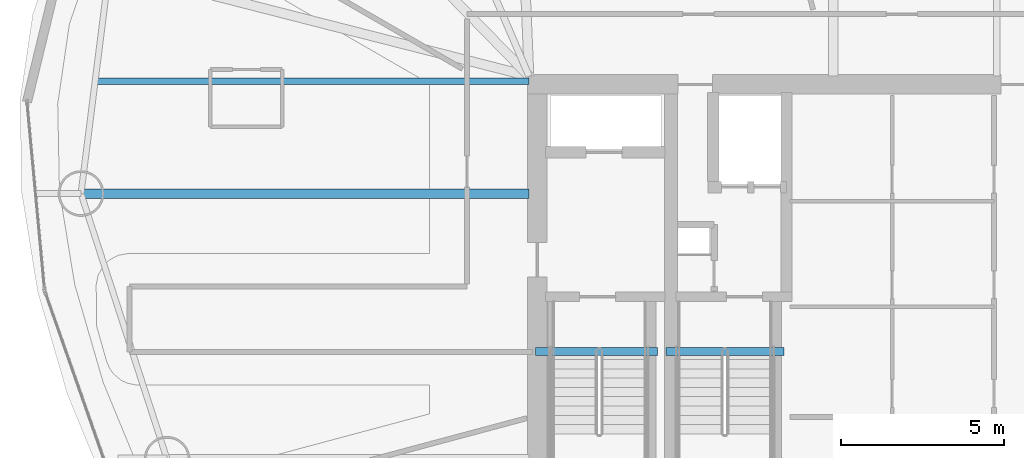
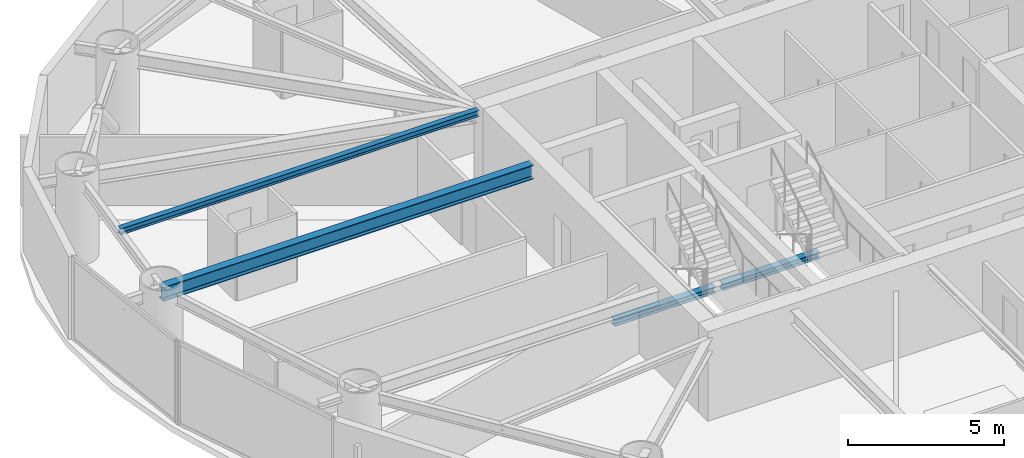
# One storey, part 6 of 20: 4 beams.
"""IFC4 building model written with IfcOpenShell, lengths in metres."""

import ifcopenshell
import ifcopenshell.guid

model = None  # the IFC model being written
_history = None  # IfcOwnerHistory: only IFC2X3 demands one
_inside = {}  # id of a spatial element -> (the spatial element, [elements in it])
_under = {}  # id of a project, library or spatial element -> (it, [spatial elements below it])
_declared = {}  # id of a project -> (the project, [libraries it declares])
_typed = {}  # id of a type object -> (the type object, [elements of that type])
_made_of = {}  # id of a material, layer set ... -> (it, [elements and type objects made of it])


def new_model(schema):
    """Start an empty IFC model of exactly this schema.

    Asked for "IFC4X3", IfcOpenShell would pick the latest addendum, in which some entities
    have other attributes; the version numbers below select the first issue.
    IFC2X3 requires an IfcOwnerHistory on every rooted entity: one is made here for all.
    """
    global model, _history
    if schema == "IFC4X3":
        model = ifcopenshell.file(schema_version=(4, 3, 0, 0))
    else:
        model = ifcopenshell.file(schema=schema)
    _inside.clear()
    _under.clear()
    _declared.clear()
    _typed.clear()
    _made_of.clear()
    _history = None
    if model.schema == "IFC2X3":
        org = make("IfcOrganization", Name="unknown")
        user = make(
            "IfcPersonAndOrganization",
            ThePerson=make("IfcPerson", FamilyName="unknown"),
            TheOrganization=org,
        )
        app = make(
            "IfcApplication",
            ApplicationDeveloper=org,
            Version="unknown",
            ApplicationFullName="unknown",
            ApplicationIdentifier="unknown",
        )
        _history = make(
            "IfcOwnerHistory",
            OwningUser=user,
            OwningApplication=app,
            ChangeAction="ADDED",
            CreationDate=0,
        )
    return model


def make(cls, **values):
    """One entity of the class cls with the attributes given. An attribute that is None is left unset."""
    return model.create_entity(
        cls, **{name: value for name, value in values.items() if value is not None}
    )


def rooted(cls, **values):
    """An entity with a GlobalId (a new one), such as an element, a storey or a relation."""
    return make(cls, GlobalId=ifcopenshell.guid.new(), OwnerHistory=_history, **values)


def si_unit(unit_type, name, prefix=None):
    """IfcSIUnit, for example si_unit("LENGTHUNIT", "METRE", prefix="MILLI")."""
    return make("IfcSIUnit", UnitType=unit_type, Prefix=prefix, Name=name)


def assignment(units):
    """IfcUnitAssignment: the units of a project."""
    return None if units is None else make("IfcUnitAssignment", Units=units)


def point(xyz):
    """IfcCartesianPoint."""
    return None if xyz is None else make("IfcCartesianPoint", Coordinates=xyz)


def direction(xyz):
    """IfcDirection."""
    return None if xyz is None else make("IfcDirection", DirectionRatios=xyz)


def frame(location, z_axis=None, x_axis=None):
    """IfcAxis2Placement3D, a coordinate frame: its origin and axes. An axis left out is left unset."""
    return make(
        "IfcAxis2Placement3D",
        Location=point(location),
        Axis=direction(z_axis),
        RefDirection=direction(x_axis),
    )


def frame_2d(location, x_axis=None):
    """IfcAxis2Placement2D, a coordinate frame in the plane: its origin and x axis."""
    return make(
        "IfcAxis2Placement2D", Location=point(location), RefDirection=direction(x_axis)
    )


def origin():
    """The frame at (0, 0, 0) with its axes left unset."""
    return frame((0.0, 0.0, 0.0))


def origin_2d():
    """The frame at (0, 0) in the plane with its x axis left unset."""
    return frame_2d((0.0, 0.0))


def place(relative_to, where):
    """IfcLocalPlacement: puts the frame where relative to a parent placement (None: the world)."""
    return make(
        "IfcLocalPlacement", PlacementRelTo=relative_to, RelativePlacement=where
    )


def context(
    kind, dimensions, precision=None, world=None, true_north=None, identifier=None
):
    """IfcGeometricRepresentationContext, for example the 3D "Model" context."""
    return make(
        "IfcGeometricRepresentationContext",
        ContextIdentifier=identifier,
        ContextType=kind,
        CoordinateSpaceDimension=dimensions,
        Precision=precision,
        WorldCoordinateSystem=world,
        TrueNorth=true_north,
    )


def subcontext(parent, identifier, kind, view, scale=None):
    """IfcGeometricRepresentationSubContext, for example "Body" below "Model"."""
    return make(
        "IfcGeometricRepresentationSubContext",
        ContextIdentifier=identifier,
        ContextType=kind,
        ParentContext=parent,
        TargetScale=scale,
        TargetView=view,
    )


def project(units=None, contexts=None):
    """IfcProject with its units and contexts."""
    return rooted(
        "IfcProject",
        Name="project",
        RepresentationContexts=contexts,
        UnitsInContext=assignment(units),
    )


def spatial(cls, under=None, at=None, **own):
    """A site, building, storey or space (cls), placed at a placement, below another one or the project."""
    s = rooted(cls, ObjectPlacement=at, **own)
    if under is not None:
        _under.setdefault(under.id(), (under, []))[1].append(s)
    return s


def profile(cls, at=None, kind="AREA", **sizes):
    """A parametric profile (cls). Its sizes go by their IFC names, for example OverallWidth=200.0."""
    return make(cls, ProfileType=kind, Position=at, **sizes)


def i_section(**sizes):
    """IfcIShapeProfileDef."""
    return profile("IfcIShapeProfileDef", **sizes)


def extrude(swept, where, along, depth):
    """IfcExtrudedAreaSolid: the profile swept, set in the frame where, extruded along a direction by depth."""
    return make(
        "IfcExtrudedAreaSolid",
        SweptArea=swept,
        Position=where,
        ExtrudedDirection=direction(along),
        Depth=depth,
    )


def shape(context_of_items, identifier, shape_type, items):
    """IfcShapeRepresentation: the items that make up one representation, for example the "Body"."""
    return make(
        "IfcShapeRepresentation",
        ContextOfItems=context_of_items,
        RepresentationIdentifier=identifier,
        RepresentationType=shape_type,
        Items=items,
    )


def material(Name=None, Category=None):
    """IfcMaterial."""
    return make("IfcMaterial", Name=Name, Category=Category)


def material_profile(
    of_material, cross_section, Name=None, Category=None, Priority=None
):
    """IfcMaterialProfile: a cross section and its material."""
    return make(
        "IfcMaterialProfile",
        Name=Name,
        Material=of_material,
        Profile=cross_section,
        Priority=Priority,
        Category=Category,
    )


def profile_set(profiles, Name=None, composite=None):
    """IfcMaterialProfileSet."""
    return make(
        "IfcMaterialProfileSet",
        Name=Name,
        MaterialProfiles=profiles,
        CompositeProfile=composite,
    )


def made_of(thing, what):
    """Note that an element or type object is made of a material, layer set ...; save() writes the relation."""
    if what is not None:
        _made_of.setdefault(what.id(), (what, []))[1].append(thing)
    return thing


def type_object(cls, material=None, **own):
    """A type object (cls), such as IfcWallType, which elements share."""
    return made_of(rooted(cls, **own), material)


def element(
    cls,
    number,
    at=None,
    inside=None,
    cuts=None,
    type_object=None,
    material=None,
    context=None,
    identifier="Body",
    shape_type=None,
    held_by="IfcProductDefinitionShape",
    body=None,
    shapes=None,
    **own,
):
    """One element of the class cls, such as IfcWall. Its Tag is "e" and its number.

    at: its placement. inside: the storey or other place that contains it. cuts: it is an
    opening in that element (IfcRelVoidsElement). A single representation is given by context,
    identifier, shape_type and body (its items); several are given by shapes. held_by: the class
    of the entity that holds the representations. save() writes the other relations.
    """
    e = rooted(cls, Tag="e%d" % number, ObjectPlacement=at, **own)
    if body is not None:
        shapes = [shape(context, identifier, shape_type, body)]
    if shapes is not None:
        e.Representation = make(held_by, Representations=shapes)
    if inside is not None:
        _inside.setdefault(inside.id(), (inside, []))[1].append(e)
    if cuts is not None:
        rooted(
            "IfcRelVoidsElement", RelatingBuildingElement=cuts, RelatedOpeningElement=e
        )
    if type_object is not None:
        _typed.setdefault(type_object.id(), (type_object, []))[1].append(e)
    return made_of(e, material)


def aggregate(whole, parts):
    """IfcRelAggregates: a whole, such as a stair, and the parts it consists of."""
    return rooted("IfcRelAggregates", RelatingObject=whole, RelatedObjects=parts)


def save(model, path):
    """Write the relations noted so far, then the file.

    IfcRelAggregates (storeys below a building ...), IfcRelContainedInSpatialStructure (elements
    in a storey), IfcRelDefinesByType, IfcRelAssociatesMaterial and IfcRelDeclares: one each for
    every whole, place, type object, material and project.
    """
    for whole, parts in _under.values():
        aggregate(whole, parts)
    for where, things in _inside.values():
        rooted(
            "IfcRelContainedInSpatialStructure",
            RelatedElements=things,
            RelatingStructure=where,
        )
    for kind, things in _typed.values():
        rooted("IfcRelDefinesByType", RelatedObjects=things, RelatingType=kind)
    for what, things in _made_of.values():
        rooted("IfcRelAssociatesMaterial", RelatedObjects=things, RelatingMaterial=what)
    for by, libraries in _declared.values():
        rooted("IfcRelDeclares", RelatingContext=by, RelatedDefinitions=libraries)
    model.write(path)


model = new_model("IFC4")

# Units and contexts
model_context = context("Model", 3, precision=1e-05, world=origin(), true_north=direction((0.0, 1.0)))
body_context = subcontext(model_context, "Body", "Model", "MODEL_VIEW")
ifc_project = project(units=[si_unit("LENGTHUNIT", "METRE"), si_unit("AREAUNIT", "SQUARE_METRE"), si_unit("VOLUMEUNIT", "CUBIC_METRE"), si_unit("PLANEANGLEUNIT", "RADIAN"), si_unit("MASSUNIT", "GRAM", prefix="KILO")], contexts=[model_context])

# Site, building, storey
site_placement = place(None, origin())
site = spatial("IfcSite", under=ifc_project, at=site_placement, CompositionType="ELEMENT")
building_placement = place(site_placement, origin())
building = spatial("IfcBuilding", under=site, at=building_placement, Name="Bramvorn Convention Spire", CompositionType="ELEMENT")
storey_placement = place(building_placement, frame((0.0, 0.0, 130.800048828125)))
storey = spatial("IfcBuildingStorey", under=building, at=storey_placement, Name="L32", CompositionType="ELEMENT", Elevation=130.800048828125)

# Beams
ifc_material = material(Name="Steel CSA G40.21 Grade 350 (350W)", Category="steel")
ifc_material_profile_1 = material_profile(ifc_material, i_section(OverallWidth=0.201904296875, OverallDepth=0.2470703125, WebThickness=0.00732421875, FlangeThickness=0.010986328125, FilletRadius=0.011962890625, at=origin_2d()))
ifc_profile_set_1 = profile_set([ifc_material_profile_1], Name="Steel CSA G40.21 Grade 350 (350W) - W250X49")
beam_type_1 = type_object("IfcBeamType", Name="BM-W250X49", PredefinedType="JOIST", material=ifc_profile_set_1)
beam_1_placement = place(storey_placement, frame((26.75, 33.294921875, 3.136474609375), z_axis=(-1.0, 0.0, 0.0), x_axis=(0.0, -1.0, 0.0)))
element("IfcBeam", 1, at=beam_1_placement, inside=storey, type_object=beam_type_1, Name="L32 composite floor joist 09", PredefinedType="JOIST", context=body_context, shape_type="SweptSolid", body=[
    extrude(i_section(OverallWidth=0.201904296875, OverallDepth=0.2470703125, WebThickness=0.00732421875, FlangeThickness=0.010986328125, FilletRadius=0.011962890625, at=origin_2d()), origin(), (0.0, 0.0, 1.0), 13.30078125),
])
ifc_material_profile_2 = material_profile(ifc_material, i_section(OverallWidth=0.25390625, OverallDepth=0.2529296875, WebThickness=0.008544921875, FlangeThickness=0.01416015625, FilletRadius=0.011962890625, at=origin_2d()))
ifc_profile_set_2 = profile_set([ifc_material_profile_2], Name="Steel CSA G40.21 Grade 350 (350W) - W250X73")
beam_type_2 = type_object("IfcBeamType", Name="BM-W250X73", PredefinedType="BEAM", material=ifc_profile_set_2)
beam_2_placement = place(storey_placement, frame((26.949951171875, 25.010009765625, -0.12646484375), z_axis=(1.0, 0.0, 0.0), x_axis=(0.0, 1.0, 0.0)))
element("IfcBeam", 2, at=beam_2_placement, inside=storey, type_object=beam_type_2, Name="L32 ST1 stair arrival header beam", PredefinedType="BEAM", context=body_context, shape_type="SweptSolid", body=[
    extrude(i_section(OverallWidth=0.25390625, OverallDepth=0.2529296875, WebThickness=0.008544921875, FlangeThickness=0.01416015625, FilletRadius=0.011962890625, at=origin_2d()), origin(), (0.0, 0.0, 1.0), 3.739990234375),
])
beam_3_placement = place(storey_placement, frame((30.949951171875, 25.010009765625, -0.12646484375), z_axis=(1.0, 0.0, 0.0), x_axis=(0.0, 1.0, 0.0)))
element("IfcBeam", 3, at=beam_3_placement, inside=storey, type_object=beam_type_2, Name="L32 ST3 stair arrival header beam", PredefinedType="BEAM", context=body_context, shape_type="SweptSolid", body=[
    extrude(i_section(OverallWidth=0.25390625, OverallDepth=0.2529296875, WebThickness=0.008544921875, FlangeThickness=0.01416015625, FilletRadius=0.011962890625, at=origin_2d()), origin(), (0.0, 0.0, 1.0), 3.610107421875),
])
ifc_material_profile_3 = material_profile(ifc_material, i_section(OverallWidth=0.2919921875, OverallDepth=0.551025390625, WebThickness=0.01513671875, FlangeThickness=0.0244140625, FilletRadius=0.01904296875, at=origin_2d()))
ifc_profile_set_3 = profile_set([ifc_material_profile_3], Name="Steel CSA G40.21 Grade 350 (350W) - W530X182")
beam_type_3 = type_object("IfcBeamType", Name="BM-W530X182", PredefinedType="BEAM", material=ifc_profile_set_3)
beam_4_placement = place(storey_placement, frame((26.75, 29.851806640625, 2.95947265625), z_axis=(-1.0, 0.0, 0.0), x_axis=(0.0, -1.0, 0.0)))
element("IfcBeam", 4, at=beam_4_placement, inside=storey, type_object=beam_type_3, Name="L32 Sky-Garden back-span radial girder MC10", PredefinedType="BEAM", context=body_context, shape_type="SweptSolid", body=[
    extrude(i_section(OverallWidth=0.2919921875, OverallDepth=0.551025390625, WebThickness=0.01513671875, FlangeThickness=0.0244140625, FilletRadius=0.01904296875, at=origin_2d()), origin(), (0.0, 0.0, 1.0), 13.733642578125),
])

save(model, "model.ifc")
